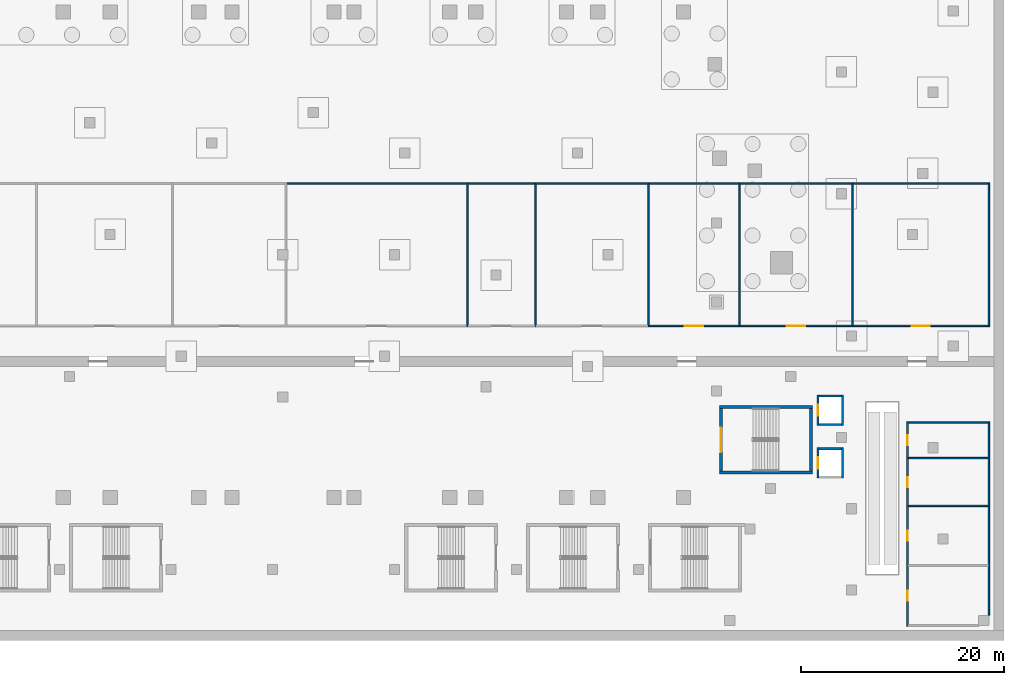
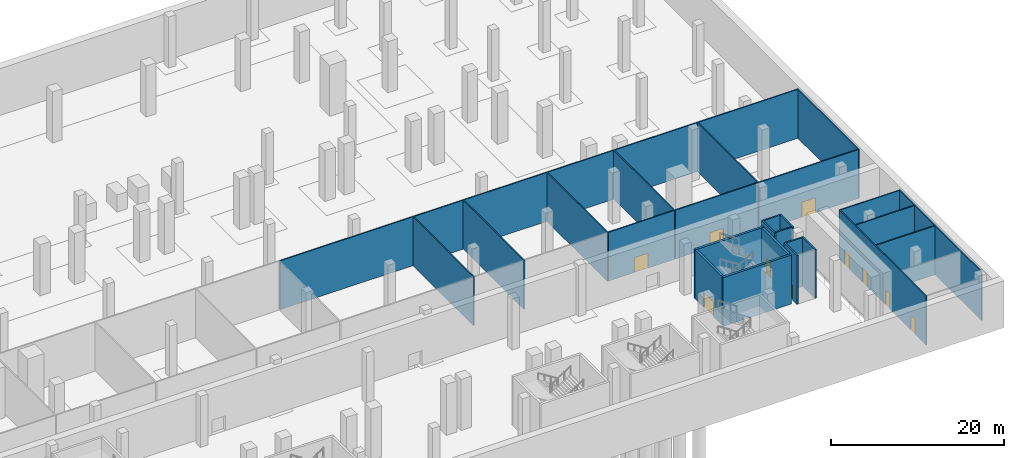
# One storey, part 7 of 15: 31 walls, 10 doors, 10 openings.
"""IFC4 building model written with IfcOpenShell, lengths in metres."""

from ifc_helpers import new_model, si_unit, direction, frame, frame_2d, origin, place, context, subcontext, project, spatial, rectangle, extrude, material, layer, layer_set, type_object, element, fill, save


model = new_model("IFC4")

# Units and contexts
model_context = context("Model", 3, precision=1e-05, world=origin(), true_north=direction((0.0, 1.0)))
body_context = subcontext(model_context, "Body", "Model", "MODEL_VIEW")
ifc_project = project(units=[si_unit("LENGTHUNIT", "METRE"), si_unit("AREAUNIT", "SQUARE_METRE"), si_unit("VOLUMEUNIT", "CUBIC_METRE"), si_unit("PLANEANGLEUNIT", "RADIAN"), si_unit("MASSUNIT", "GRAM", prefix="KILO")], contexts=[model_context])

# Site, building, storey
site_placement = place(None, origin())
site = spatial("IfcSite", under=ifc_project, at=site_placement, CompositionType="ELEMENT")
building_placement = place(site_placement, origin())
building = spatial("IfcBuilding", under=site, at=building_placement, Name="Wharfspan Tower", CompositionType="ELEMENT")
storey_placement = place(building_placement, frame((0.0, 0.0, -7.199951)))
storey = spatial("IfcBuildingStorey", under=building, at=storey_placement, Name="B1", CompositionType="ELEMENT", Elevation=-7.199951)

# Wall, opening, door
ifc_material_1 = material(Name="Calcium silicate masonry", Category="masonry")
ifc_layer_1 = layer(ifc_material_1, 0.149902)
ifc_layer_set_1 = layer_set([ifc_layer_1], Name="Calcium silicate masonry")
wall_type_1 = type_object("IfcWallType", Name="Podium room wall 150", PredefinedType="PARTITIONING", material=ifc_layer_set_1)
wall_1_placement = place(storey_placement, frame((77.093018, -5.0, 0.0), z_axis=(0.0, 0.0, 1.0), x_axis=(1.0, 0.0, 0.0)))
wall_1 = element("IfcWall", 1, at=wall_1_placement, inside=storey, type_object=wall_type_1, Name="iw:B1:8", PredefinedType="PARTITIONING", context=body_context, shape_type="SweptSolid", body=[
    extrude(rectangle(XDim=8.778076, YDim=0.149902, at=frame_2d((4.38916, 0.0))), origin(), (0.0, 0.0, 1.0), 6.899902),
])
opening_1_placement = place(wall_1_placement, frame((3.489014, 0.0, 0.0)))
opening_1 = element("IfcOpeningElement", 2, at=opening_1_placement, cuts=wall_1, Name="Opening PD1.8", PredefinedType="OPENING", context=body_context, shape_type="SweptSolid", body=[
    extrude(rectangle(XDim=1.800049, YDim=2.100098, at=frame_2d((0.899902, 1.050049))), frame((0.0, 0.084961, 0.0), z_axis=(0.0, -1.0, 0.0), x_axis=(1.0, 0.0, 0.0)), (0.0, 0.0, 1.0), 0.169922),
])
ifc_material_2 = material(Name="Steel door leaf", Category="steel")
door_type_1 = type_object("IfcDoorType", Name="Podium double door 1800x2100", OperationType="DOUBLE_DOOR_SINGLE_SWING", PredefinedType="DOOR", material=ifc_material_2)
door_1_placement = place(opening_1_placement, origin())
door_1 = element("IfcDoor", 3, at=door_1_placement, inside=storey, type_object=door_type_1, Name="id:B1:8", OperationType="DOUBLE_DOOR_SINGLE_SWING", OverallHeight=2.100098, OverallWidth=1.800049, PredefinedType="DOOR", context=body_context, shape_type="SweptSolid", body=[
    extrude(rectangle(XDim=1.800049, YDim=2.100098, at=frame_2d((0.899902, 1.050049))), frame((0.0, 0.024902, 0.0), z_axis=(0.0, -1.0, 0.0), x_axis=(1.0, 0.0, 0.0)), (0.0, 0.0, 1.0), 0.050049),
])
fill(opening_1, door_1)

wall_2_placement = place(storey_placement, frame((86.020996, -5.0, 0.0), z_axis=(0.0, 0.0, 1.0), x_axis=(1.0, 0.0, 0.0)))
wall_2 = element("IfcWall", 4, at=wall_2_placement, inside=storey, type_object=wall_type_1, Name="iw:B1:9", PredefinedType="PARTITIONING", context=body_context, shape_type="SweptSolid", body=[
    extrude(rectangle(XDim=11.010986, YDim=0.149902, at=frame_2d((5.505371, 0.0))), origin(), (0.0, 0.0, 1.0), 6.899902),
])
opening_2_placement = place(wall_2_placement, frame((4.605713, 0.0, 0.0)))
opening_2 = element("IfcOpeningElement", 5, at=opening_2_placement, cuts=wall_2, Name="Opening PD1.9", PredefinedType="OPENING", context=body_context, shape_type="SweptSolid", body=[
    extrude(rectangle(XDim=1.800049, YDim=2.100098, at=frame_2d((0.899902, 1.050049))), frame((0.0, 0.084961, 0.0), z_axis=(0.0, -1.0, 0.0), x_axis=(1.0, 0.0, 0.0)), (0.0, 0.0, 1.0), 0.169922),
])
door_2_placement = place(opening_2_placement, origin())
door_2 = element("IfcDoor", 6, at=door_2_placement, inside=storey, type_object=door_type_1, Name="id:B1:9", OperationType="DOUBLE_DOOR_SINGLE_SWING", OverallHeight=2.100098, OverallWidth=1.800049, PredefinedType="DOOR", context=body_context, shape_type="SweptSolid", body=[
    extrude(rectangle(XDim=1.800049, YDim=2.100098, at=frame_2d((0.899902, 1.050049))), frame((0.0, 0.024902, 0.0), z_axis=(0.0, -1.0, 0.0), x_axis=(1.0, 0.0, 0.0)), (0.0, 0.0, 1.0), 0.050049),
])
fill(opening_2, door_2)

wall_3_placement = place(storey_placement, frame((97.181885, -5.0, 0.0), z_axis=(0.0, 0.0, 1.0), x_axis=(1.0, 0.0, 0.0)))
wall_3 = element("IfcWall", 7, at=wall_3_placement, inside=storey, type_object=wall_type_1, Name="iw:B1:10", PredefinedType="PARTITIONING", context=body_context, shape_type="SweptSolid", body=[
    extrude(rectangle(XDim=13.243164, YDim=0.149902, at=frame_2d((6.621582, 0.0))), origin(), (0.0, 0.0, 1.0), 6.899902),
])
opening_3_placement = place(wall_3_placement, frame((5.72168, 0.0, 0.0)))
opening_3 = element("IfcOpeningElement", 8, at=opening_3_placement, cuts=wall_3, Name="Opening PD1.10", PredefinedType="OPENING", context=body_context, shape_type="SweptSolid", body=[
    extrude(rectangle(XDim=1.800049, YDim=2.100098, at=frame_2d((0.899902, 1.050049))), frame((0.0, 0.084961, 0.0), z_axis=(0.0, -1.0, 0.0), x_axis=(1.0, 0.0, 0.0)), (0.0, 0.0, 1.0), 0.169922),
])
door_3_placement = place(opening_3_placement, origin())
door_3 = element("IfcDoor", 9, at=door_3_placement, inside=storey, type_object=door_type_1, Name="id:B1:10", OperationType="DOUBLE_DOOR_SINGLE_SWING", OverallHeight=2.100098, OverallWidth=1.800049, PredefinedType="DOOR", context=body_context, shape_type="SweptSolid", body=[
    extrude(rectangle(XDim=1.800049, YDim=2.100098, at=frame_2d((0.899902, 1.050049))), frame((0.0, 0.024902, 0.0), z_axis=(0.0, -1.0, 0.0), x_axis=(1.0, 0.0, 0.0)), (0.0, 0.0, 1.0), 0.050049),
])
fill(opening_3, door_3)

# Walls
wall_4_placement = place(storey_placement, frame((41.378906, 9.0, 0.0), z_axis=(0.0, 0.0, 1.0), x_axis=(1.0, 0.0, 0.0)))
element("IfcWall", 10, at=wall_4_placement, inside=storey, type_object=wall_type_1, Name="iw:B1:16", PredefinedType="PARTITIONING", context=body_context, shape_type="SweptSolid", body=[
    extrude(rectangle(XDim=17.707031, YDim=0.149902, at=frame_2d((8.853516, 0.0))), origin(), (0.0, 0.0, 1.0), 6.899902),
])
wall_5_placement = place(storey_placement, frame((59.236084, 9.0, 0.0), z_axis=(0.0, 0.0, 1.0), x_axis=(1.0, 0.0, 0.0)))
element("IfcWall", 11, at=wall_5_placement, inside=storey, type_object=wall_type_1, Name="iw:B1:17", PredefinedType="PARTITIONING", context=body_context, shape_type="SweptSolid", body=[
    extrude(rectangle(XDim=6.545898, YDim=0.149902, at=frame_2d((3.272949, 0.0))), origin(), (0.0, 0.0, 1.0), 6.899902),
])
wall_6_placement = place(storey_placement, frame((65.931885, 9.0, 0.0), z_axis=(0.0, 0.0, 1.0), x_axis=(1.0, 0.0, 0.0)))
element("IfcWall", 12, at=wall_6_placement, inside=storey, type_object=wall_type_1, Name="iw:B1:18", PredefinedType="PARTITIONING", context=body_context, shape_type="SweptSolid", body=[
    extrude(rectangle(XDim=11.01123, YDim=0.149902, at=frame_2d((5.505615, 0.0))), origin(), (0.0, 0.0, 1.0), 6.899902),
])
wall_7_placement = place(storey_placement, frame((77.093018, 9.0, 0.0), z_axis=(0.0, 0.0, 1.0), x_axis=(1.0, 0.0, 0.0)))
element("IfcWall", 13, at=wall_7_placement, inside=storey, type_object=wall_type_1, Name="iw:B1:19", PredefinedType="PARTITIONING", context=body_context, shape_type="SweptSolid", body=[
    extrude(rectangle(XDim=8.778076, YDim=0.149902, at=frame_2d((4.38916, 0.0))), origin(), (0.0, 0.0, 1.0), 6.899902),
])
wall_8_placement = place(storey_placement, frame((86.020996, 9.0, 0.0), z_axis=(0.0, 0.0, 1.0), x_axis=(1.0, 0.0, 0.0)))
element("IfcWall", 14, at=wall_8_placement, inside=storey, type_object=wall_type_1, Name="iw:B1:20", PredefinedType="PARTITIONING", context=body_context, shape_type="SweptSolid", body=[
    extrude(rectangle(XDim=11.010986, YDim=0.149902, at=frame_2d((5.505371, 0.0))), origin(), (0.0, 0.0, 1.0), 6.899902),
])
wall_9_placement = place(storey_placement, frame((97.181885, 9.0, 0.0), z_axis=(0.0, 0.0, 1.0), x_axis=(1.0, 0.0, 0.0)))
element("IfcWall", 15, at=wall_9_placement, inside=storey, type_object=wall_type_1, Name="iw:B1:21", PredefinedType="PARTITIONING", context=body_context, shape_type="SweptSolid", body=[
    extrude(rectangle(XDim=13.243164, YDim=0.149902, at=frame_2d((6.621582, 0.0))), origin(), (0.0, 0.0, 1.0), 6.899902),
])
for number, where, z_axis, x_axis, name in (
    (16, (59.160889, -5.074951, 0.0), (0.0, 0.0, 1.0), (0.0, 1.0, 0.0), "iw:B1:27"),
    (17, (65.856934, -5.074951, 0.0), (0.0, 0.0, 1.0), (0.0, 1.0, 0.0), "iw:B1:28"),
    (18, (77.018066, -5.074951, 0.0), (0.0, 0.0, 1.0), (0.0, 1.0, 0.0), "iw:B1:29"),
    (19, (85.946045, -5.074951, 0.0), (0.0, 0.0, 1.0), (0.0, 1.0, 0.0), "iw:B1:30"),
    (20, (97.106934, -5.074951, 0.0), (0.0, 0.0, 1.0), (0.0, 1.0, 0.0), "iw:B1:31"),
):
    element("IfcWall", number, at=place(storey_placement, frame(where, z_axis=z_axis, x_axis=x_axis)), inside=storey, type_object=wall_type_1, Name=name, PredefinedType="PARTITIONING", context=body_context, shape_type="SweptSolid", body=[
        extrude(rectangle(XDim=14.149902, YDim=0.149902, at=frame_2d((7.074951, 0.0))), origin(), (0.0, 0.0, 1.0), 6.899902),
    ])
wall_10_placement = place(storey_placement, frame((110.5, -33.48999, 0.0), z_axis=(0.0, 0.0, 1.0), x_axis=(0.0, 1.0, 0.0)))
element("IfcWall", 21, at=wall_10_placement, inside=storey, type_object=wall_type_1, Name="iw:B1:32", PredefinedType="PARTITIONING", context=body_context, shape_type="SweptSolid", body=[
    extrude(rectangle(XDim=19.064941, YDim=0.149902, at=frame_2d((9.532471, 0.0))), origin(), (0.0, 0.0, 1.0), 6.899902),
])
wall_11_placement = place(storey_placement, frame((110.5, -5.074951, 0.0), z_axis=(0.0, 0.0, 1.0), x_axis=(0.0, 1.0, 0.0)))
element("IfcWall", 22, at=wall_11_placement, inside=storey, type_object=wall_type_1, Name="iw:B1:33", PredefinedType="PARTITIONING", context=body_context, shape_type="SweptSolid", body=[
    extrude(rectangle(XDim=14.149902, YDim=0.149902, at=frame_2d((7.074951, 0.0))), origin(), (0.0, 0.0, 1.0), 6.899902),
])

# Wall, openings, doors
wall_12_placement = place(storey_placement, frame((102.5, -34.574951, 0.0), z_axis=(0.0, 0.0, 1.0), x_axis=(0.0, 1.0, 0.0)))
wall_12 = element("IfcWall", 23, at=wall_12_placement, inside=storey, type_object=wall_type_1, Name="iw:B1:36", PredefinedType="PARTITIONING", context=body_context, shape_type="SweptSolid", body=[
    extrude(rectangle(XDim=20.149902, YDim=0.149902, at=frame_2d((10.074951, 0.0))), origin(), (0.0, 0.0, 1.0), 6.899902),
])
opening_4_placement = place(wall_12_placement, frame((2.516113, 0.0, 0.0)))
opening_4 = element("IfcOpeningElement", 24, at=opening_4_placement, cuts=wall_12, Name="Opening PD1.11", PredefinedType="OPENING", context=body_context, shape_type="SweptSolid", body=[
    extrude(rectangle(XDim=1.0, YDim=2.100098, at=frame_2d((0.5, 1.050049))), frame((0.0, 0.084961, 0.0), z_axis=(0.0, -1.0, 0.0), x_axis=(1.0, 0.0, 0.0)), (0.0, 0.0, 1.0), 0.169922),
])
opening_5_placement = place(wall_12_placement, frame((8.398438, 0.0, 0.0)))
opening_5 = element("IfcOpeningElement", 25, at=opening_5_placement, cuts=wall_12, Name="Opening PD1.12", PredefinedType="OPENING", context=body_context, shape_type="SweptSolid", body=[
    extrude(rectangle(XDim=1.0, YDim=2.100098, at=frame_2d((0.5, 1.050049))), frame((0.0, 0.084961, 0.0), z_axis=(0.0, -1.0, 0.0), x_axis=(1.0, 0.0, 0.0)), (0.0, 0.0, 1.0), 0.169922),
])
opening_6_placement = place(wall_12_placement, frame((13.692627, 0.0, 0.0)))
opening_6 = element("IfcOpeningElement", 26, at=opening_6_placement, cuts=wall_12, Name="Opening PD1.13", PredefinedType="OPENING", context=body_context, shape_type="SweptSolid", body=[
    extrude(rectangle(XDim=1.0, YDim=2.100098, at=frame_2d((0.5, 1.050049))), frame((0.0, 0.084961, 0.0), z_axis=(0.0, -1.0, 0.0), x_axis=(1.0, 0.0, 0.0)), (0.0, 0.0, 1.0), 0.169922),
])
opening_7_placement = place(wall_12_placement, frame((17.810303, 0.0, 0.0)))
opening_7 = element("IfcOpeningElement", 27, at=opening_7_placement, cuts=wall_12, Name="Opening PD1.14", PredefinedType="OPENING", context=body_context, shape_type="SweptSolid", body=[
    extrude(rectangle(XDim=1.0, YDim=2.100098, at=frame_2d((0.5, 1.050049))), frame((0.0, 0.084961, 0.0), z_axis=(0.0, -1.0, 0.0), x_axis=(1.0, 0.0, 0.0)), (0.0, 0.0, 1.0), 0.169922),
])
door_type_2 = type_object("IfcDoorType", Name="Podium room door 1000x2100", OperationType="SINGLE_SWING_LEFT", PredefinedType="DOOR", material=ifc_material_2)
door_4_placement = place(opening_4_placement, origin())
door_4 = element("IfcDoor", 28, at=door_4_placement, inside=storey, type_object=door_type_2, Name="id:B1:11", OperationType="SINGLE_SWING_RIGHT", OverallHeight=2.100098, OverallWidth=1.0, PredefinedType="DOOR", context=body_context, shape_type="SweptSolid", body=[
    extrude(rectangle(XDim=1.0, YDim=2.100098, at=frame_2d((0.5, 1.050049))), frame((0.0, 0.024902, 0.0), z_axis=(0.0, -1.0, 0.0), x_axis=(1.0, 0.0, 0.0)), (0.0, 0.0, 1.0), 0.050049),
])
fill(opening_4, door_4)
door_5_placement = place(opening_5_placement, origin())
door_5 = element("IfcDoor", 29, at=door_5_placement, inside=storey, type_object=door_type_2, Name="id:B1:12", OperationType="SINGLE_SWING_LEFT", OverallHeight=2.100098, OverallWidth=1.0, PredefinedType="DOOR", context=body_context, shape_type="SweptSolid", body=[
    extrude(rectangle(XDim=1.0, YDim=2.100098, at=frame_2d((0.5, 1.050049))), frame((0.0, 0.024902, 0.0), z_axis=(0.0, -1.0, 0.0), x_axis=(1.0, 0.0, 0.0)), (0.0, 0.0, 1.0), 0.050049),
])
fill(opening_5, door_5)
door_6_placement = place(opening_6_placement, origin())
door_6 = element("IfcDoor", 30, at=door_6_placement, inside=storey, type_object=door_type_2, Name="id:B1:13", OperationType="SINGLE_SWING_RIGHT", OverallHeight=2.100098, OverallWidth=1.0, PredefinedType="DOOR", context=body_context, shape_type="SweptSolid", body=[
    extrude(rectangle(XDim=1.0, YDim=2.100098, at=frame_2d((0.5, 1.050049))), frame((0.0, 0.024902, 0.0), z_axis=(0.0, -1.0, 0.0), x_axis=(1.0, 0.0, 0.0)), (0.0, 0.0, 1.0), 0.050049),
])
fill(opening_6, door_6)
door_7_placement = place(opening_7_placement, origin())
door_7 = element("IfcDoor", 31, at=door_7_placement, inside=storey, type_object=door_type_2, Name="id:B1:14", OperationType="SINGLE_SWING_LEFT", OverallHeight=2.100098, OverallWidth=1.0, PredefinedType="DOOR", context=body_context, shape_type="SweptSolid", body=[
    extrude(rectangle(XDim=1.0, YDim=2.100098, at=frame_2d((0.5, 1.050049))), frame((0.0, 0.024902, 0.0), z_axis=(0.0, -1.0, 0.0), x_axis=(1.0, 0.0, 0.0)), (0.0, 0.0, 1.0), 0.050049),
])
fill(opening_7, door_7)

# Walls
for number, where, z_axis, x_axis, name in (
    (32, (102.574951, -22.735107, 0.0), (0.0, 0.0, 1.0), (1.0, 0.0, 0.0), "iw:B1:37"),
    (33, (102.574951, -18.029053, 0.0), (0.0, 0.0, 1.0), (1.0, 0.0, 0.0), "iw:B1:38"),
    (34, (102.574951, -14.5, 0.0), (0.0, 0.0, 1.0), (1.0, 0.0, 0.0), "iw:B1:39"),
):
    element("IfcWall", number, at=place(storey_placement, frame(where, z_axis=z_axis, x_axis=x_axis)), inside=storey, type_object=wall_type_1, Name=name, PredefinedType="PARTITIONING", context=body_context, shape_type="SweptSolid", body=[
        extrude(rectangle(XDim=7.850098, YDim=0.149902, at=frame_2d((3.925049, 0.0))), origin(), (0.0, 0.0, 1.0), 6.899902),
    ])

# Wall, opening, door
ifc_material_3 = material(Name="Concrete C30/37", Category="concrete")
ifc_layer_2 = layer(ifc_material_3, 0.199951)
ifc_layer_set_2 = layer_set([ifc_layer_2], Name="Concrete C30/37")
wall_type_2 = type_object("IfcWallType", Name="Podium shaft wall 200", PredefinedType="PARTITIONING", material=ifc_layer_set_2)
wall_13_placement = place(storey_placement, frame((93.699951, -20.0, 0.0), z_axis=(0.0, 0.0, 1.0), x_axis=(0.0, 1.0, 0.0)))
wall_13 = element("IfcWall", 35, at=wall_13_placement, inside=storey, type_object=wall_type_2, Name="pl:LP2:B1:W", PredefinedType="PARTITIONING", context=body_context, shape_type="SweptSolid", body=[
    extrude(rectangle(XDim=3.0, YDim=0.199951, at=frame_2d((1.5, 0.0))), origin(), (0.0, 0.0, 1.0), 6.899902),
])
opening_8_placement = place(wall_13_placement, frame((0.949951, 0.0, 0.0)))
opening_8 = element("IfcOpeningElement", 36, at=opening_8_placement, cuts=wall_13, Name="Opening LDP2.B1", PredefinedType="OPENING", context=body_context, shape_type="SweptSolid", body=[
    extrude(rectangle(XDim=1.100098, YDim=2.100098, at=frame_2d((0.550049, 1.050049))), frame((0.0, 0.109863, 0.0), z_axis=(0.0, -1.0, 0.0), x_axis=(1.0, 0.0, 0.0)), (0.0, 0.0, 1.0), 0.219971),
])
ifc_material_4 = material(Name="Stainless steel", Category="steel")
door_type_3 = type_object("IfcDoorType", Name="Podium lift landing door 1100x2100", OperationType="DOUBLE_DOOR_SLIDING", PredefinedType="DOOR", material=ifc_material_4)
door_8_placement = place(opening_8_placement, origin())
door_8 = element("IfcDoor", 37, at=door_8_placement, inside=storey, type_object=door_type_3, Name="Landing door LP2 B1", OperationType="DOUBLE_DOOR_SLIDING", OverallHeight=2.100098, OverallWidth=1.100098, PredefinedType="DOOR", context=body_context, shape_type="SweptSolid", body=[
    extrude(rectangle(XDim=1.100098, YDim=2.100098, at=frame_2d((0.550049, 1.050049))), frame((0.0, 0.024902, 0.0), z_axis=(0.0, -1.0, 0.0), x_axis=(1.0, 0.0, 0.0)), (0.0, 0.0, 1.0), 0.050049),
])
fill(opening_8, door_8)

# Walls
wall_14_placement = place(storey_placement, frame((96.100098, -20.0, 0.0), z_axis=(0.0, 0.0, 1.0), x_axis=(0.0, 1.0, 0.0)))
element("IfcWall", 38, at=wall_14_placement, inside=storey, type_object=wall_type_2, Name="pl:LP2:B1:E", PredefinedType="PARTITIONING", context=body_context, shape_type="SweptSolid", body=[
    extrude(rectangle(XDim=3.0, YDim=0.199951, at=frame_2d((1.5, 0.0))), origin(), (0.0, 0.0, 1.0), 6.899902),
])
wall_15_placement = place(storey_placement, frame((93.800049, -17.100098, 0.0), z_axis=(0.0, 0.0, 1.0), x_axis=(1.0, 0.0, 0.0)))
element("IfcWall", 39, at=wall_15_placement, inside=storey, type_object=wall_type_2, Name="pl:LP2:B1:N", PredefinedType="PARTITIONING", context=body_context, shape_type="SweptSolid", body=[
    extrude(rectangle(XDim=2.199951, YDim=0.199951, at=frame_2d((1.100098, 0.0))), origin(), (0.0, 0.0, 1.0), 6.899902),
])

# Wall, opening, door
wall_16_placement = place(storey_placement, frame((93.699951, -14.800049, 0.0), z_axis=(0.0, 0.0, 1.0), x_axis=(0.0, 1.0, 0.0)))
wall_16 = element("IfcWall", 40, at=wall_16_placement, inside=storey, type_object=wall_type_2, Name="pl:LP4:B1:W", PredefinedType="PARTITIONING", context=body_context, shape_type="SweptSolid", body=[
    extrude(rectangle(XDim=3.0, YDim=0.199951, at=frame_2d((1.5, 0.0))), origin(), (0.0, 0.0, 1.0), 6.899902),
])
opening_9_placement = place(wall_16_placement, frame((0.949951, 0.0, 0.0)))
opening_9 = element("IfcOpeningElement", 41, at=opening_9_placement, cuts=wall_16, Name="Opening LDP4.B1", PredefinedType="OPENING", context=body_context, shape_type="SweptSolid", body=[
    extrude(rectangle(XDim=1.100098, YDim=2.100098, at=frame_2d((0.550049, 1.050049))), frame((0.0, 0.109863, 0.0), z_axis=(0.0, -1.0, 0.0), x_axis=(1.0, 0.0, 0.0)), (0.0, 0.0, 1.0), 0.219971),
])
door_9_placement = place(opening_9_placement, origin())
door_9 = element("IfcDoor", 42, at=door_9_placement, inside=storey, type_object=door_type_3, Name="Landing door LP4 B1", OperationType="DOUBLE_DOOR_SLIDING", OverallHeight=2.100098, OverallWidth=1.100098, PredefinedType="DOOR", context=body_context, shape_type="SweptSolid", body=[
    extrude(rectangle(XDim=1.100098, YDim=2.100098, at=frame_2d((0.550049, 1.050049))), frame((0.0, 0.024902, 0.0), z_axis=(0.0, -1.0, 0.0), x_axis=(1.0, 0.0, 0.0)), (0.0, 0.0, 1.0), 0.050049),
])
fill(opening_9, door_9)

# Walls
wall_17_placement = place(storey_placement, frame((96.100098, -14.800049, 0.0), z_axis=(0.0, 0.0, 1.0), x_axis=(0.0, 1.0, 0.0)))
element("IfcWall", 43, at=wall_17_placement, inside=storey, type_object=wall_type_2, Name="pl:LP4:B1:E", PredefinedType="PARTITIONING", context=body_context, shape_type="SweptSolid", body=[
    extrude(rectangle(XDim=3.0, YDim=0.199951, at=frame_2d((1.5, 0.0))), origin(), (0.0, 0.0, 1.0), 6.899902),
])
for number, where, z_axis, x_axis, name in (
    (44, (93.800049, -14.699951, 0.0), (0.0, 0.0, 1.0), (1.0, 0.0, 0.0), "pl:LP4:B1:S"),
    (45, (93.800049, -11.899902, 0.0), (0.0, 0.0, 1.0), (1.0, 0.0, 0.0), "pl:LP4:B1:N"),
):
    element("IfcWall", number, at=place(storey_placement, frame(where, z_axis=z_axis, x_axis=x_axis)), inside=storey, type_object=wall_type_2, Name=name, PredefinedType="PARTITIONING", context=body_context, shape_type="SweptSolid", body=[
        extrude(rectangle(XDim=2.199951, YDim=0.199951, at=frame_2d((1.100098, 0.0))), origin(), (0.0, 0.0, 1.0), 6.899902),
    ])
ifc_material_5 = material(Name="Concrete C40/50", Category="concrete")
ifc_layer_3 = layer(ifc_material_5, 0.300049)
ifc_layer_set_3 = layer_set([ifc_layer_3], Name="Concrete C40/50")
wall_type_3 = type_object("IfcWallType", Name="Podium stair core wall 300", PredefinedType="SHEAR", material=ifc_layer_set_3)
for number, where, z_axis, x_axis, name in (
    (46, (84.0, -19.449951, 0.0), (0.0, 0.0, 1.0), (1.0, 0.0, 0.0), "iw:B1:SB7S"),
    (47, (84.0, -13.0, 0.0), (0.0, 0.0, 1.0), (1.0, 0.0, 0.0), "iw:B1:SB7N"),
):
    element("IfcWall", number, at=place(storey_placement, frame(where, z_axis=z_axis, x_axis=x_axis)), inside=storey, type_object=wall_type_3, Name=name, PredefinedType="SHEAR", context=body_context, shape_type="SweptSolid", body=[
        extrude(rectangle(XDim=9.149902, YDim=0.300049, at=frame_2d((4.574951, 0.0))), origin(), (0.0, 0.0, 1.0), 6.899902),
    ])

# Wall, opening, door
wall_18_placement = place(storey_placement, frame((84.149902, -19.300049, 0.0), z_axis=(0.0, 0.0, 1.0), x_axis=(0.0, 1.0, 0.0)))
wall_18 = element("IfcWall", 48, at=wall_18_placement, inside=storey, type_object=wall_type_3, Name="iw:B1:SB7W", PredefinedType="SHEAR", context=body_context, shape_type="SweptSolid", body=[
    extrude(rectangle(XDim=6.150146, YDim=0.300049, at=frame_2d((3.075195, 0.0))), origin(), (0.0, 0.0, 1.0), 6.899902),
])
opening_10_placement = place(wall_18_placement, frame((1.875, 0.0, 0.0)))
opening_10 = element("IfcOpeningElement", 49, at=opening_10_placement, cuts=wall_18, Name="Opening SDSB7.B1", PredefinedType="OPENING", context=body_context, shape_type="SweptSolid", body=[
    extrude(rectangle(XDim=2.399902, YDim=2.100098, at=frame_2d((1.199951, 1.050049))), frame((0.0, 0.159912, 0.0), z_axis=(0.0, -1.0, 0.0), x_axis=(1.0, 0.0, 0.0)), (0.0, 0.0, 1.0), 0.320068),
])
door_type_4 = type_object("IfcDoorType", Name="Podium stair door 2400x2100", OperationType="DOUBLE_DOOR_SINGLE_SWING", PredefinedType="DOOR", material=ifc_material_2)
door_10_placement = place(opening_10_placement, origin())
door_10 = element("IfcDoor", 50, at=door_10_placement, inside=storey, type_object=door_type_4, Name="id:B1:SB7", OperationType="DOUBLE_DOOR_SINGLE_SWING", OverallHeight=2.100098, OverallWidth=2.399902, PredefinedType="DOOR", context=body_context, shape_type="SweptSolid", body=[
    extrude(rectangle(XDim=2.399902, YDim=2.100098, at=frame_2d((1.199951, 1.050049))), frame((0.0, 0.024902, 0.0), z_axis=(0.0, -1.0, 0.0), x_axis=(1.0, 0.0, 0.0)), (0.0, 0.0, 1.0), 0.050049),
])
fill(opening_10, door_10)

# Wall
wall_19_placement = place(storey_placement, frame((93.0, -19.300049, 0.0), z_axis=(0.0, 0.0, 1.0), x_axis=(0.0, 1.0, 0.0)))
element("IfcWall", 51, at=wall_19_placement, inside=storey, type_object=wall_type_3, Name="iw:B1:SB7E", PredefinedType="SHEAR", context=body_context, shape_type="SweptSolid", body=[
    extrude(rectangle(XDim=6.150146, YDim=0.300049, at=frame_2d((3.075195, 0.0))), origin(), (0.0, 0.0, 1.0), 6.899902),
])

save(model, "model.ifc")
